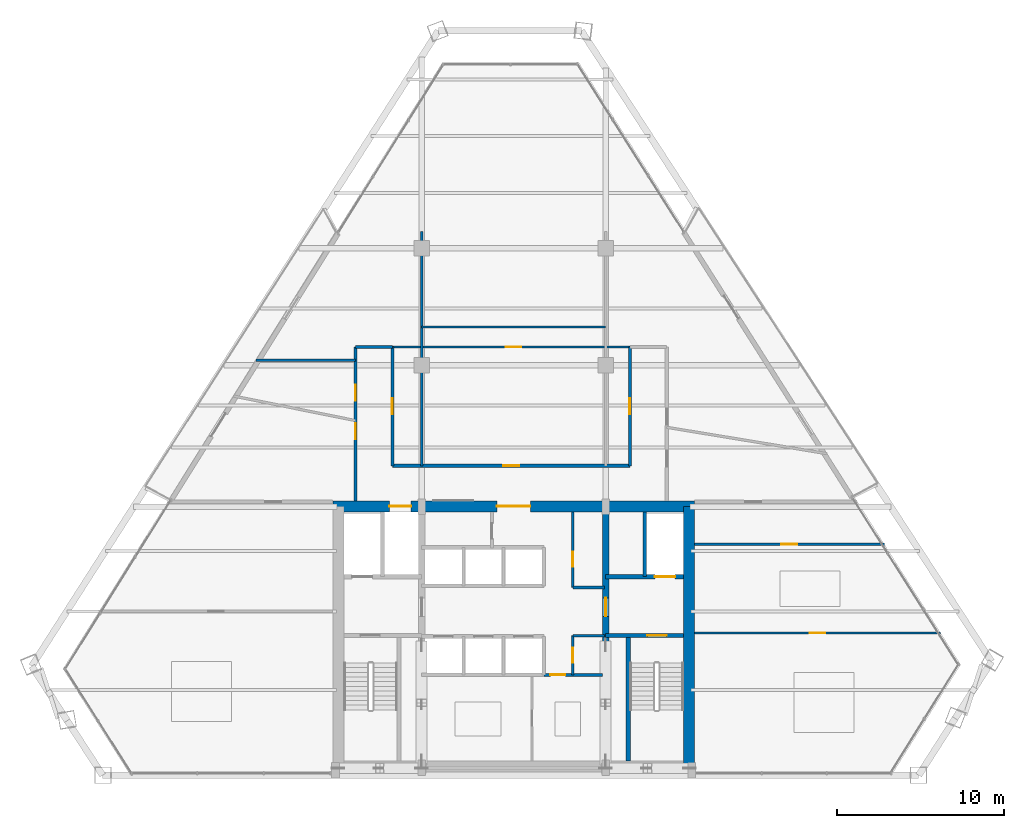
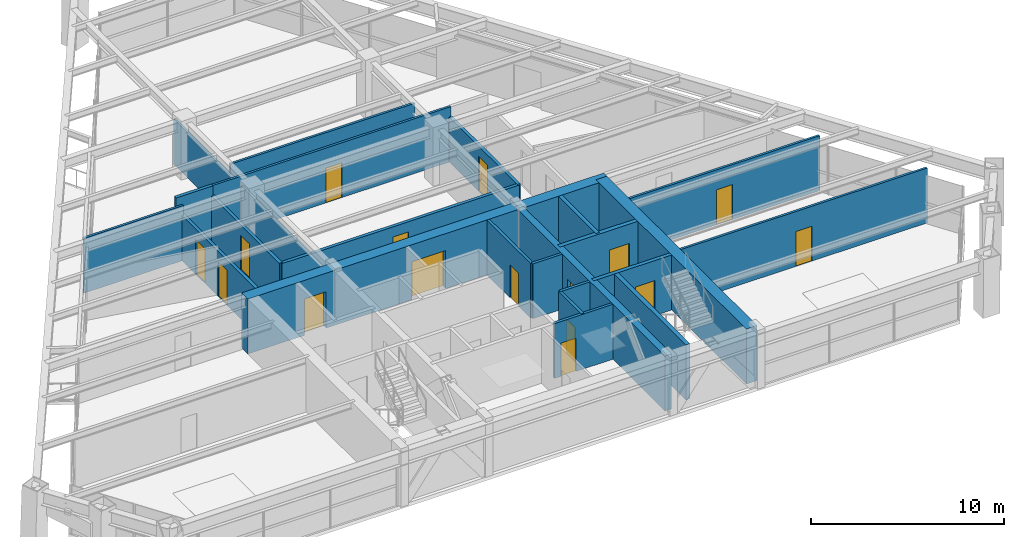
# One storey, part 12 of 15: 23 walls, 16 doors, 16 openings.
"""IFC4 building model written with IfcOpenShell, lengths in metres."""

from ifc_helpers import new_model, si_unit, direction, frame, frame_2d, origin, place, context, subcontext, project, spatial, rectangle, extrude, source, transform, mapped, material, layer, layer_set, type_object, type_shapes, element, fill, save


model = new_model("IFC4")

# Units and contexts
model_context = context("Model", 3, precision=1e-05, world=origin(), true_north=direction((0.0, 1.0)))
body_context = subcontext(model_context, "Body", "Model", "MODEL_VIEW")
ifc_project = project(units=[si_unit("LENGTHUNIT", "METRE"), si_unit("AREAUNIT", "SQUARE_METRE"), si_unit("VOLUMEUNIT", "CUBIC_METRE"), si_unit("PLANEANGLEUNIT", "RADIAN"), si_unit("MASSUNIT", "GRAM", prefix="KILO")], contexts=[model_context])

# Site, building, storey
site_placement = place(None, origin())
site = spatial("IfcSite", under=ifc_project, at=site_placement, CompositionType="ELEMENT")
building_placement = place(site_placement, origin())
building = spatial("IfcBuilding", under=site, at=building_placement, Name="Varnakhor Terracotta Tower", CompositionType="ELEMENT")
storey_placement = place(building_placement, frame((0.0, 0.0, 178.39990234375)))
storey = spatial("IfcBuildingStorey", under=building, at=storey_placement, Name="L45", CompositionType="ELEMENT", Elevation=178.39990234375)

# Wall, openings, doors
ifc_material_1 = material(Name="Concrete C50/60", Category="concrete")
ifc_layer_1 = layer(ifc_material_1, 0.64990234375, Name="Concrete C50/60")
ifc_layer_set_1 = layer_set([ifc_layer_1], Name="Concrete C50/60")
wall_type_1 = type_object("IfcWallType", Name="WAL-CORE-650", PredefinedType="SHEAR", material=ifc_layer_set_1)
wall_1_placement = place(storey_placement, frame((-10.800048828125, 16.074951171875, 0.0), z_axis=(0.0, 0.0, 1.0), x_axis=(1.0, 0.0, 0.0)))
wall_1 = element("IfcWall", 1, at=wall_1_placement, inside=storey, type_object=wall_type_1, Name="L45 North Core Shear Wall", PredefinedType="SHEAR", context=body_context, shape_type="SweptSolid", body=[
    extrude(rectangle(XDim=21.60009765625, YDim=0.64990234375, at=frame_2d((10.800048828125, 0.0))), origin(), (0.0, 0.0, 1.0), 3.47021484375),
])
opening_1_placement = place(wall_1_placement, frame((3.3701171875, 0.0, 0.0)))
opening_1 = element("IfcOpeningElement", 2, at=opening_1_placement, cuts=wall_1, Name="Opening LD-03", PredefinedType="OPENING", context=body_context, shape_type="SweptSolid", body=[
    extrude(rectangle(XDim=1.300048828125, YDim=2.300048828125, at=frame_2d((0.64990234375, 1.14990234375))), frame((0.0, 0.3349609375, 0.0), z_axis=(0.0, -1.0, 0.0), x_axis=(1.0, 0.0, 0.0)), (0.0, 0.0, 1.0), 0.669921875),
])
opening_2_placement = place(wall_1_placement, frame((9.800048828125, 0.0, 0.0)))
opening_2 = element("IfcOpeningElement", 3, at=opening_2_placement, cuts=wall_1, Name="Opening DR-32", PredefinedType="OPENING", context=body_context, shape_type="SweptSolid", body=[
    extrude(rectangle(XDim=2.0, YDim=2.39990234375, at=frame_2d((1.0, 1.199951171875))), frame((0.0, 0.3349609375, 0.0), z_axis=(0.0, -1.0, 0.0), x_axis=(1.0, 0.0, 0.0)), (0.0, 0.0, 1.0), 0.669921875),
])
ifc_material_2 = material(Name="Heavy-Duty Goods Sliding Lift Landing Door", Category="steel")
door_type_1 = type_object("IfcDoorType", Name="LD-SRV-1300X2300", OperationType="NOTDEFINED", PredefinedType="DOOR", material=ifc_material_2)
shared_shape_1 = source(origin(), body_context, "Body", "SweptSolid", [
    extrude(rectangle(XDim=1.300048828125, YDim=2.300048828125, at=frame_2d((0.64990234375, 1.14990234375))), frame((0.0, 0.02490234375, 0.0), z_axis=(0.0, -1.0, 0.0), x_axis=(1.0, 0.0, 0.0)), (0.0, 0.0, 1.0), 0.050048828125),
])
type_shapes(door_type_1, [shared_shape_1])
door_1_placement = place(opening_1_placement, origin())
door_1 = element("IfcDoor", 4, at=door_1_placement, inside=storey, type_object=door_type_1, Name="L45 Service Lift SVL-1 Landing Door", OperationType="SLIDING_TO_RIGHT", OverallHeight=2.300048828125, OverallWidth=1.300048828125, PredefinedType="DOOR", context=body_context, shape_type="MappedRepresentation", body=[
    mapped(shared_shape_1, transform((0.0, 0.0, 0.0), scale=1.0)),
])
fill(opening_1, door_1)
ifc_material_3 = material(Name="Acoustic Double Assembly Fire Door", Category="wood")
door_type_2 = type_object("IfcDoorType", Name="DR-HALL-2000X2400", OperationType="NOTDEFINED", PredefinedType="DOOR", material=ifc_material_3)
shared_shape_2 = source(origin(), body_context, "Body", "SweptSolid", [
    extrude(rectangle(XDim=2.0, YDim=2.39990234375, at=frame_2d((1.0, 1.199951171875))), frame((0.0, 0.02490234375, 0.0), z_axis=(0.0, -1.0, 0.0), x_axis=(1.0, 0.0, 0.0)), (0.0, 0.0, 1.0), 0.050048828125),
])
type_shapes(door_type_2, [shared_shape_2])
door_2_placement = place(opening_2_placement, origin())
door_2 = element("IfcDoor", 5, at=door_2_placement, inside=storey, type_object=door_type_2, Name="L45 Core Main Lobby Double Door", OperationType="DOUBLE_DOOR_SINGLE_SWING", OverallHeight=2.39990234375, OverallWidth=2.0, PredefinedType="DOOR", context=body_context, shape_type="MappedRepresentation", body=[
    mapped(shared_shape_2, transform((0.0, 0.0, 0.0), scale=1.0)),
])
fill(opening_2, door_2)

# Wall
wall_2_placement = place(storey_placement, frame((10.47509765625, 0.52490234375, 0.0), z_axis=(0.0, 0.0, 1.0), x_axis=(0.0, 1.0, 0.0)))
element("IfcWall", 6, at=wall_2_placement, inside=storey, type_object=wall_type_1, Name="L45 East Core Shear Wall", PredefinedType="SHEAR", context=body_context, shape_type="SweptSolid", body=[
    extrude(rectangle(XDim=15.550048828125, YDim=0.64990234375, at=frame_2d((7.77490234375, 0.0))), origin(), (0.0, 0.0, 1.0), 3.47021484375),
])

# Wall, opening, door
ifc_layer_2 = layer(ifc_material_1, 0.39990234375, Name="Concrete C50/60")
ifc_layer_set_2 = layer_set([ifc_layer_2], Name="Concrete C50/60")
wall_type_2 = type_object("IfcWallType", Name="WAL-CORE-WEB-400", PredefinedType="SHEAR", material=ifc_layer_set_2)
wall_3_placement = place(storey_placement, frame((5.5, 0.52490234375, 0.0), z_axis=(0.0, 0.0, 1.0), x_axis=(0.0, 1.0, 0.0)))
wall_3 = element("IfcWall", 7, at=wall_3_placement, inside=storey, type_object=wall_type_2, Name="L45 East Core Web Shear Wall", PredefinedType="SHEAR", context=body_context, shape_type="SweptSolid", body=[
    extrude(rectangle(XDim=15.550048828125, YDim=0.39990234375, at=frame_2d((7.77490234375, 0.0))), origin(), (0.0, 0.0, 1.0), 3.47021484375),
])
opening_3_placement = place(wall_3_placement, frame((8.97509765625, 0.0, 0.0)))
opening_3 = element("IfcOpeningElement", 8, at=opening_3_placement, cuts=wall_3, Name="Opening DR-25", PredefinedType="OPENING", context=body_context, shape_type="SweptSolid", body=[
    extrude(rectangle(XDim=1.10009765625, YDim=2.199951171875, at=frame_2d((0.550048828125, 1.10009765625))), frame((0.0, 0.2099609375, 0.0), z_axis=(0.0, -1.0, 0.0), x_axis=(1.0, 0.0, 0.0)), (0.0, 0.0, 1.0), 0.419921875),
])
ifc_material_4 = material(Name="Firefighting Lobby Self-Closing Fire Door", Category="steel")
door_type_3 = type_object("IfcDoorType", Name="DR-FFL-1100X2200", OperationType="NOTDEFINED", PredefinedType="DOOR", material=ifc_material_4)
shared_shape_3 = source(origin(), body_context, "Body", "SweptSolid", [
    extrude(rectangle(XDim=1.10009765625, YDim=2.199951171875, at=frame_2d((0.550048828125, 1.10009765625))), frame((0.0, 0.02490234375, 0.0), z_axis=(0.0, -1.0, 0.0), x_axis=(1.0, 0.0, 0.0)), (0.0, 0.0, 1.0), 0.050048828125),
])
type_shapes(door_type_3, [shared_shape_3])
door_3_placement = place(opening_3_placement, origin())
door_3 = element("IfcDoor", 9, at=door_3_placement, inside=storey, type_object=door_type_3, Name="L45 East Firefighting Lobby Door", OperationType="SINGLE_SWING_LEFT", OverallHeight=2.199951171875, OverallWidth=1.10009765625, PredefinedType="DOOR", context=body_context, shape_type="MappedRepresentation", body=[
    mapped(shared_shape_3, transform((0.0, 0.0, 0.0), scale=1.0)),
])
fill(opening_3, door_3)

ifc_material_5 = material(Name="Fire-Rated Gypsum Stud Partition", Category="gypsum")
ifc_layer_3 = layer(ifc_material_5, 0.18505859375, Name="Fire-Rated Gypsum Stud Partition")
ifc_layer_set_3 = layer_set([ifc_layer_3], Name="Fire-Rated Gypsum Stud Partition")
wall_type_3 = type_object("IfcWallType", Name="WAL-CORR-185", PredefinedType="PARTITIONING", material=ifc_layer_set_3)
wall_4_placement = place(storey_placement, frame((-7.25, 18.5, 0.0), z_axis=(0.0, 0.0, 1.0), x_axis=(1.0, 0.0, 0.0)))
wall_4 = element("IfcWall", 10, at=wall_4_placement, inside=storey, type_object=wall_type_3, Name="L45 Central Gallery Link Wall", PredefinedType="PARTITIONING", context=body_context, shape_type="SweptSolid", body=[
    extrude(rectangle(XDim=14.199951171875, YDim=0.18505859375, at=frame_2d((7.10009765625, 0.0))), origin(), (0.0, 0.0, 1.0), 2.84619140625),
])
opening_4_placement = place(wall_4_placement, frame((6.625, 0.0, 0.0)))
opening_4 = element("IfcOpeningElement", 11, at=opening_4_placement, cuts=wall_4, Name="Opening DR-94", PredefinedType="OPENING", context=body_context, shape_type="SweptSolid", body=[
    extrude(rectangle(XDim=0.949951171875, YDim=2.199951171875, at=frame_2d((0.47509765625, 1.10009765625))), frame((0.0, 0.1025390625, 0.0), z_axis=(0.0, -1.0, 0.0), x_axis=(1.0, 0.0, 0.0)), (0.0, 0.0, 1.0), 0.205078125),
])
ifc_material_6 = material(Name="Acoustic Glazed-Vision Timber Office Door", Category="wood")
door_type_4 = type_object("IfcDoorType", Name="DR-OFF-950X2200", OperationType="NOTDEFINED", PredefinedType="DOOR", material=ifc_material_6)
shared_shape_4 = source(origin(), body_context, "Body", "SweptSolid", [
    extrude(rectangle(XDim=0.949951171875, YDim=2.199951171875, at=frame_2d((0.47509765625, 1.10009765625))), frame((0.0, 0.02490234375, 0.0), z_axis=(0.0, -1.0, 0.0), x_axis=(1.0, 0.0, 0.0)), (0.0, 0.0, 1.0), 0.050048828125),
])
type_shapes(door_type_4, [shared_shape_4])
door_4_placement = place(opening_4_placement, origin())
door_4 = element("IfcDoor", 12, at=door_4_placement, inside=storey, type_object=door_type_4, Name="L45 Center Suite Door", OperationType="SINGLE_SWING_LEFT", OverallHeight=2.199951171875, OverallWidth=0.949951171875, PredefinedType="DOOR", context=body_context, shape_type="MappedRepresentation", body=[
    mapped(shared_shape_4, transform((0.0, 0.0, 0.0), scale=1.0)),
])
fill(opening_4, door_4)

wall_5_placement = place(storey_placement, frame((-7.25, 18.5, 0.0), z_axis=(0.0, 0.0, 1.0), x_axis=(0.0, 1.0, 0.0)))
wall_5 = element("IfcWall", 13, at=wall_5_placement, inside=storey, type_object=wall_type_3, Name="L45 West Gallery Inner Wall", PredefinedType="PARTITIONING", context=body_context, shape_type="SweptSolid", body=[
    extrude(rectangle(XDim=7.10009765625, YDim=0.18505859375, at=frame_2d((3.550048828125, 0.0))), origin(), (0.0, 0.0, 1.0), 2.84619140625),
])
opening_5_placement = place(wall_5_placement, frame((3.074951171875, 0.0, 0.0)))
opening_5 = element("IfcOpeningElement", 14, at=opening_5_placement, cuts=wall_5, Name="Opening DR-94", PredefinedType="OPENING", context=body_context, shape_type="SweptSolid", body=[
    extrude(rectangle(XDim=0.949951171875, YDim=2.199951171875, at=frame_2d((0.47509765625, 1.10009765625))), frame((0.0, 0.1025390625, 0.0), z_axis=(0.0, -1.0, 0.0), x_axis=(1.0, 0.0, 0.0)), (0.0, 0.0, 1.0), 0.205078125),
])
door_5_placement = place(opening_5_placement, origin())
door_5 = element("IfcDoor", 15, at=door_5_placement, inside=storey, type_object=door_type_4, Name="L45 Partner Office 1 B10 Door", OperationType="SINGLE_SWING_LEFT", OverallHeight=2.199951171875, OverallWidth=0.949951171875, PredefinedType="DOOR", context=body_context, shape_type="MappedRepresentation", body=[
    mapped(shared_shape_4, transform((0.0, 0.0, 0.0), scale=1.0)),
])
fill(opening_5, door_5)

wall_6_placement = place(storey_placement, frame((6.949951171875, 18.5, 0.0), z_axis=(0.0, 0.0, 1.0), x_axis=(0.0, 1.0, 0.0)))
wall_6 = element("IfcWall", 16, at=wall_6_placement, inside=storey, type_object=wall_type_3, Name="L45 East Gallery Inner Wall", PredefinedType="PARTITIONING", context=body_context, shape_type="SweptSolid", body=[
    extrude(rectangle(XDim=7.10009765625, YDim=0.18505859375, at=frame_2d((3.550048828125, 0.0))), origin(), (0.0, 0.0, 1.0), 2.84619140625),
])
opening_6_placement = place(wall_6_placement, frame((3.074951171875, 0.0, 0.0)))
opening_6 = element("IfcOpeningElement", 17, at=opening_6_placement, cuts=wall_6, Name="Opening DR-94", PredefinedType="OPENING", context=body_context, shape_type="SweptSolid", body=[
    extrude(rectangle(XDim=0.949951171875, YDim=2.199951171875, at=frame_2d((0.47509765625, 1.10009765625))), frame((0.0, 0.1025390625, 0.0), z_axis=(0.0, -1.0, 0.0), x_axis=(1.0, 0.0, 0.0)), (0.0, 0.0, 1.0), 0.205078125),
])
door_6_placement = place(opening_6_placement, origin())
door_6 = element("IfcDoor", 18, at=door_6_placement, inside=storey, type_object=door_type_4, Name="L45 Partner Office 5 B9 Door", OperationType="SINGLE_SWING_RIGHT", OverallHeight=2.199951171875, OverallWidth=0.949951171875, PredefinedType="DOOR", context=body_context, shape_type="MappedRepresentation", body=[
    mapped(shared_shape_4, transform((0.0, 0.0, 0.0), scale=1.0)),
])
fill(opening_6, door_6)

# Wall, openings, doors
wall_7_placement = place(storey_placement, frame((-9.449951171875, 16.39990234375, 0.0), z_axis=(0.0, 0.0, 1.0), x_axis=(0.0, 1.0, 0.0)))
wall_7 = element("IfcWall", 19, at=wall_7_placement, inside=storey, type_object=wall_type_3, Name="L45 West Gallery Outer Wall", PredefinedType="PARTITIONING", context=body_context, shape_type="SweptSolid", body=[
    extrude(rectangle(XDim=9.2001953125, YDim=0.18505859375, at=frame_2d((4.60009765625, 0.0))), origin(), (0.0, 0.0, 1.0), 2.84619140625),
])
opening_7_placement = place(wall_7_placement, frame((3.698974609375, 0.0, 0.0)))
opening_7 = element("IfcOpeningElement", 20, at=opening_7_placement, cuts=wall_7, Name="Opening DR-94", PredefinedType="OPENING", context=body_context, shape_type="SweptSolid", body=[
    extrude(rectangle(XDim=0.949951171875, YDim=2.199951171875, at=frame_2d((0.47509765625, 1.10009765625))), frame((0.0, 0.1025390625, 0.0), z_axis=(0.0, -1.0, 0.0), x_axis=(1.0, 0.0, 0.0)), (0.0, 0.0, 1.0), 0.205078125),
])
opening_8_placement = place(wall_7_placement, frame((5.987060546875, 0.0, 0.0)))
opening_8 = element("IfcOpeningElement", 21, at=opening_8_placement, cuts=wall_7, Name="Opening DR-94", PredefinedType="OPENING", context=body_context, shape_type="SweptSolid", body=[
    extrude(rectangle(XDim=0.949951171875, YDim=2.199951171875, at=frame_2d((0.47509765625, 1.10009765625))), frame((0.0, 0.1025390625, 0.0), z_axis=(0.0, -1.0, 0.0), x_axis=(1.0, 0.0, 0.0)), (0.0, 0.0, 1.0), 0.205078125),
])
door_7_placement = place(opening_7_placement, origin())
door_7 = element("IfcDoor", 22, at=door_7_placement, inside=storey, type_object=door_type_4, Name="L45 West Wing Door", OperationType="SINGLE_SWING_RIGHT", OverallHeight=2.199951171875, OverallWidth=0.949951171875, PredefinedType="DOOR", context=body_context, shape_type="MappedRepresentation", body=[
    mapped(shared_shape_4, transform((0.0, 0.0, 0.0), scale=1.0)),
])
fill(opening_7, door_7)
door_8_placement = place(opening_8_placement, origin())
door_8 = element("IfcDoor", 23, at=door_8_placement, inside=storey, type_object=door_type_4, Name="L45 Partner Office 2 Door", OperationType="SINGLE_SWING_RIGHT", OverallHeight=2.199951171875, OverallWidth=0.949951171875, PredefinedType="DOOR", context=body_context, shape_type="MappedRepresentation", body=[
    mapped(shared_shape_4, transform((0.0, 0.0, 0.0), scale=1.0)),
])
fill(opening_8, door_8)

# Wall
wall_8_placement = place(storey_placement, frame((-9.449951171875, 25.60009765625, 0.0), z_axis=(0.0, 0.0, 1.0), x_axis=(1.0, 0.0, 0.0)))
element("IfcWall", 24, at=wall_8_placement, inside=storey, type_object=wall_type_3, Name="L45 West Gallery North End", PredefinedType="PARTITIONING", context=body_context, shape_type="SweptSolid", body=[
    extrude(rectangle(XDim=2.199951171875, YDim=0.18505859375, at=frame_2d((1.10009765625, 0.0))), origin(), (0.0, 0.0, 1.0), 3.462158203125),
])

# Wall, opening, door
ifc_material_7 = material(Name="Concrete C40/50", Category="concrete")
ifc_layer_4 = layer(ifc_material_7, 0.219970703125, Name="Concrete C40/50")
ifc_layer_set_4 = layer_set([ifc_layer_4], Name="Concrete C40/50")
wall_type_4 = type_object("IfcWallType", Name="WAL-FFLOBBY-220", PredefinedType="SOLIDWALL", material=ifc_layer_set_4)
wall_9_placement = place(storey_placement, frame((10.14990234375, 8.35009765625, 0.0), z_axis=(0.0, 0.0, 1.0), x_axis=(-1.0, 0.0, 0.0)))
wall_9 = element("IfcWall", 25, at=wall_9_placement, inside=storey, type_object=wall_type_4, Name="L45 East Firefighting Lobby Stair Wall", PredefinedType="SOLIDWALL", context=body_context, shape_type="SweptSolid", body=[
    extrude(rectangle(XDim=4.64990234375, YDim=0.219970703125, at=frame_2d((2.324951171875, 0.0))), origin(), (0.0, 0.0, 1.0), 3.47021484375),
])
opening_9_placement = place(wall_9_placement, frame((1.0, 0.0, 0.0)))
opening_9 = element("IfcOpeningElement", 26, at=opening_9_placement, cuts=wall_9, Name="Opening DR-34", PredefinedType="OPENING", context=body_context, shape_type="SweptSolid", body=[
    extrude(rectangle(XDim=1.14990234375, YDim=2.199951171875, at=frame_2d((0.574951171875, 1.10009765625))), frame((0.0, 0.1201171875, 0.0), z_axis=(0.0, -1.0, 0.0), x_axis=(1.0, 0.0, 0.0)), (0.0, 0.0, 1.0), 0.239990234375),
])
ifc_material_8 = material(Name="Self-Closing Smoke-Sealed Steel Fire Door", Category="steel")
door_type_5 = type_object("IfcDoorType", Name="DR-STAIR-1150X2200", OperationType="NOTDEFINED", PredefinedType="DOOR", material=ifc_material_8)
shared_shape_5 = source(origin(), body_context, "Body", "SweptSolid", [
    extrude(rectangle(XDim=1.14990234375, YDim=2.199951171875, at=frame_2d((0.574951171875, 1.10009765625))), frame((0.0, 0.02490234375, 0.0), z_axis=(0.0, -1.0, 0.0), x_axis=(1.0, 0.0, 0.0)), (0.0, 0.0, 1.0), 0.050048828125),
])
type_shapes(door_type_5, [shared_shape_5])
door_9_placement = place(opening_9_placement, origin())
door_9 = element("IfcDoor", 27, at=door_9_placement, inside=storey, type_object=door_type_5, Name="L45 Exit Stair ST-2 Fire Door", OperationType="SINGLE_SWING_RIGHT", OverallHeight=2.199951171875, OverallWidth=1.14990234375, PredefinedType="DOOR", context=body_context, shape_type="MappedRepresentation", body=[
    mapped(shared_shape_5, transform((0.0, 0.0, 0.0), scale=1.0)),
])
fill(opening_9, door_9)

ifc_material_9 = material(Name="Acoustic Metal-Stud Partition", Category="gypsum")
ifc_layer_5 = layer(ifc_material_9, 0.139892578125, Name="Acoustic Metal-Stud Partition")
ifc_layer_set_5 = layer_set([ifc_layer_5], Name="Acoustic Metal-Stud Partition")
wall_type_5 = type_object("IfcWallType", Name="WAL-PART-140", PredefinedType="PARTITIONING", material=ifc_layer_set_5)
wall_10_placement = place(storey_placement, frame((-7.25, 25.60009765625, 0.0), z_axis=(0.0, 0.0, 1.0), x_axis=(1.0, 0.0, 0.0)))
wall_10 = element("IfcWall", 28, at=wall_10_placement, inside=storey, type_object=wall_type_5, Name="L45 Gallery Center Cap Wall", PredefinedType="PARTITIONING", context=body_context, shape_type="SweptSolid", body=[
    extrude(rectangle(XDim=14.199951171875, YDim=0.139892578125, at=frame_2d((7.10009765625, 0.0))), origin(), (0.0, 0.0, 1.0), 3.462158203125),
])
opening_10_placement = place(wall_10_placement, frame((6.767822265625, 0.0, 0.0)))
opening_10 = element("IfcOpeningElement", 29, at=opening_10_placement, cuts=wall_10, Name="Opening DR-94", PredefinedType="OPENING", context=body_context, shape_type="SweptSolid", body=[
    extrude(rectangle(XDim=0.949951171875, YDim=2.199951171875, at=frame_2d((0.47509765625, 1.10009765625))), frame((0.0, 0.080078125, 0.0), z_axis=(0.0, -1.0, 0.0), x_axis=(1.0, 0.0, 0.0)), (0.0, 0.0, 1.0), 0.159912109375),
])
door_10_placement = place(opening_10_placement, origin())
door_10 = element("IfcDoor", 30, at=door_10_placement, inside=storey, type_object=door_type_4, Name="L45 Staff Pantry Kitchen Door", OperationType="SINGLE_SWING_LEFT", OverallHeight=2.199951171875, OverallWidth=0.949951171875, PredefinedType="DOOR", context=body_context, shape_type="MappedRepresentation", body=[
    mapped(shared_shape_4, transform((0.0, 0.0, 0.0), scale=1.0)),
])
fill(opening_10, door_10)

# Walls
wall_11_placement = place(storey_placement, frame((-5.5, 18.5, 0.0), z_axis=(0.0, 0.0, 1.0), x_axis=(0.0, 1.0, 0.0)))
element("IfcWall", 31, at=wall_11_placement, inside=storey, type_object=wall_type_5, Name="L45 Center West Column Wall", PredefinedType="PARTITIONING", context=body_context, shape_type="SweptSolid", body=[
    extrude(rectangle(XDim=14.0, YDim=0.139892578125, at=frame_2d((7.0, 0.0))), origin(), (0.0, 0.0, 1.0), 2.84619140625),
])
wall_12_placement = place(storey_placement, frame((-5.5, 26.800048828125, 0.0), z_axis=(0.0, 0.0, 1.0), x_axis=(1.0, 0.0, 0.0)))
element("IfcWall", 32, at=wall_12_placement, inside=storey, type_object=wall_type_5, Name="L45 Center Cross Cut 1", PredefinedType="PARTITIONING", context=body_context, shape_type="SweptSolid", body=[
    extrude(rectangle(XDim=11.0, YDim=0.139892578125, at=frame_2d((5.5, 0.0))), origin(), (0.0, 0.0, 1.0), 3.462158203125),
])
wall_13_placement = place(storey_placement, frame((-15.3935546875, 24.800048828125, 0.0), z_axis=(0.0, 0.0, 1.0), x_axis=(1.0, 0.0, 0.0)))
element("IfcWall", 33, at=wall_13_placement, inside=storey, type_object=wall_type_5, Name="L45 West Wing Cut 3", PredefinedType="PARTITIONING", context=body_context, shape_type="SweptSolid", body=[
    extrude(rectangle(XDim=5.943603515625, YDim=0.139892578125, at=frame_2d((2.9716796875, 0.0))), origin(), (0.0, 0.0, 1.0), 3.462158203125),
])

# Wall, opening, door
wall_14_placement = place(storey_placement, frame((10.820068359375, 8.5, 0.0), z_axis=(0.0, 0.0, 1.0), x_axis=(1.0, 0.0, 0.0)))
wall_14 = element("IfcWall", 34, at=wall_14_placement, inside=storey, type_object=wall_type_5, Name="L45 East Wing Cut 1", PredefinedType="PARTITIONING", context=body_context, shape_type="SweptSolid", body=[
    extrude(rectangle(XDim=14.69775390625, YDim=0.139892578125, at=frame_2d((7.348876953125, 0.0))), origin(), (0.0, 0.0, 1.0), 3.462158203125),
])
opening_11_placement = place(wall_14_placement, frame((6.8662109375, 0.0, 0.0)))
opening_11 = element("IfcOpeningElement", 35, at=opening_11_placement, cuts=wall_14, Name="Opening DR-94", PredefinedType="OPENING", context=body_context, shape_type="SweptSolid", body=[
    extrude(rectangle(XDim=0.949951171875, YDim=2.199951171875, at=frame_2d((0.47509765625, 1.10009765625))), frame((0.0, 0.080078125, 0.0), z_axis=(0.0, -1.0, 0.0), x_axis=(1.0, 0.0, 0.0)), (0.0, 0.0, 1.0), 0.159912109375),
])
door_11_placement = place(opening_11_placement, origin())
door_11 = element("IfcDoor", 36, at=door_11_placement, inside=storey, type_object=door_type_4, Name="L45 Partner Office 1 SE Door", OperationType="SINGLE_SWING_LEFT", OverallHeight=2.199951171875, OverallWidth=0.949951171875, PredefinedType="DOOR", context=body_context, shape_type="MappedRepresentation", body=[
    mapped(shared_shape_4, transform((0.0, 0.0, 0.0), scale=1.0)),
])
fill(opening_11, door_11)

wall_15_placement = place(storey_placement, frame((10.820068359375, 13.800048828125, 0.0), z_axis=(0.0, 0.0, 1.0), x_axis=(1.0, 0.0, 0.0)))
wall_15 = element("IfcWall", 37, at=wall_15_placement, inside=storey, type_object=wall_type_5, Name="L45 East Wing Cut 2", PredefinedType="PARTITIONING", context=body_context, shape_type="SweptSolid", body=[
    extrude(rectangle(XDim=11.33642578125, YDim=0.139892578125, at=frame_2d((5.668212890625, 0.0))), origin(), (0.0, 0.0, 1.0), 3.462158203125),
])
opening_12_placement = place(wall_15_placement, frame((5.185791015625, 0.0, 0.0)))
opening_12 = element("IfcOpeningElement", 38, at=opening_12_placement, cuts=wall_15, Name="Opening DR-94", PredefinedType="OPENING", context=body_context, shape_type="SweptSolid", body=[
    extrude(rectangle(XDim=0.949951171875, YDim=2.199951171875, at=frame_2d((0.47509765625, 1.10009765625))), frame((0.0, 0.080078125, 0.0), z_axis=(0.0, -1.0, 0.0), x_axis=(1.0, 0.0, 0.0)), (0.0, 0.0, 1.0), 0.159912109375),
])
door_12_placement = place(opening_12_placement, origin())
door_12 = element("IfcDoor", 39, at=door_12_placement, inside=storey, type_object=door_type_4, Name="L45 Conference Room 1 B3 Door", OperationType="SINGLE_SWING_RIGHT", OverallHeight=2.199951171875, OverallWidth=0.949951171875, PredefinedType="DOOR", context=body_context, shape_type="MappedRepresentation", body=[
    mapped(shared_shape_4, transform((0.0, 0.0, 0.0), scale=1.0)),
])
fill(opening_12, door_12)

# Walls
ifc_layer_6 = layer(ifc_material_7, 0.219970703125, Name="Concrete C40/50")
ifc_layer_set_6 = layer_set([ifc_layer_6], Name="Concrete C40/50")
wall_type_6 = type_object("IfcWallType", Name="WAL-SHAFT-220", PredefinedType="SOLIDWALL", material=ifc_layer_set_6)
wall_16_placement = place(storey_placement, frame((7.840087890625, 11.8701171875, 0.0), z_axis=(0.0, 0.0, 1.0), x_axis=(0.0, 1.0, 0.0)))
element("IfcWall", 40, at=wall_16_placement, inside=storey, type_object=wall_type_6, Name="L45 Lift FFL-2 and Riser Divider Wall", PredefinedType="SOLIDWALL", context=body_context, shape_type="SweptSolid", body=[
    extrude(rectangle(XDim=3.8798828125, YDim=0.219970703125, at=frame_2d((1.93994140625, 0.0))), origin(), (0.0, 0.0, 1.0), 3.47021484375),
])
ifc_layer_7 = layer(ifc_material_7, 0.25, Name="Concrete C40/50")
ifc_layer_set_7 = layer_set([ifc_layer_7], Name="Concrete C40/50")
wall_type_7 = type_object("IfcWallType", Name="WAL-SHAFT-250", PredefinedType="SOLIDWALL", material=ifc_layer_set_7)
wall_17_placement = place(storey_placement, frame((6.85009765625, 0.85009765625, 0.0), z_axis=(0.0, 0.0, 1.0), x_axis=(0.0, 1.0, 0.0)))
element("IfcWall", 41, at=wall_17_placement, inside=storey, type_object=wall_type_7, Name="L45 Stair ST-2 Bearing Shaft Wall", PredefinedType="SOLIDWALL", context=body_context, shape_type="SweptSolid", body=[
    extrude(rectangle(XDim=7.5, YDim=0.25, at=frame_2d((3.75, 0.0))), origin(), (0.0, 0.0, 1.0), 3.47021484375),
])

# Wall, opening, door
wall_18_placement = place(storey_placement, frame((10.14990234375, 11.8701171875, 0.0), z_axis=(0.0, 0.0, 1.0), x_axis=(-1.0, 0.0, 0.0)))
wall_18 = element("IfcWall", 42, at=wall_18_placement, inside=storey, type_object=wall_type_7, Name="L45 Lift FFL-2 Shaft Front Wall", PredefinedType="SOLIDWALL", context=body_context, shape_type="SweptSolid", body=[
    extrude(rectangle(XDim=4.64990234375, YDim=0.25, at=frame_2d((2.324951171875, 0.0))), origin(), (0.0, 0.0, 1.0), 3.47021484375),
])
opening_13_placement = place(wall_18_placement, frame((0.5, 0.0, 0.0)))
opening_13 = element("IfcOpeningElement", 43, at=opening_13_placement, cuts=wall_18, Name="Opening LD-02", PredefinedType="OPENING", context=body_context, shape_type="SweptSolid", body=[
    extrude(rectangle(XDim=1.199951171875, YDim=2.25, at=frame_2d((0.60009765625, 1.125))), frame((0.0, 0.135009765625, 0.0), z_axis=(0.0, -1.0, 0.0), x_axis=(1.0, 0.0, 0.0)), (0.0, 0.0, 1.0), 0.27001953125),
])
ifc_material_10 = material(Name="Firefighting Stretcher Sliding Lift Landing Door", Category="steel")
door_type_6 = type_object("IfcDoorType", Name="LD-FFL-1200X2250", OperationType="NOTDEFINED", PredefinedType="DOOR", material=ifc_material_10)
shared_shape_6 = source(origin(), body_context, "Body", "SweptSolid", [
    extrude(rectangle(XDim=1.199951171875, YDim=2.25, at=frame_2d((0.60009765625, 1.125))), frame((0.0, 0.02490234375, 0.0), z_axis=(0.0, -1.0, 0.0), x_axis=(1.0, 0.0, 0.0)), (0.0, 0.0, 1.0), 0.050048828125),
])
type_shapes(door_type_6, [shared_shape_6])
door_13_placement = place(opening_13_placement, origin())
door_13 = element("IfcDoor", 44, at=door_13_placement, inside=storey, type_object=door_type_6, Name="L45 Firefighting Lift FFL-2 Landing Door", OperationType="SLIDING_TO_RIGHT", OverallHeight=2.25, OverallWidth=1.199951171875, PredefinedType="DOOR", context=body_context, shape_type="MappedRepresentation", body=[
    mapped(shared_shape_6, transform((0.0, 0.0, 0.0), scale=1.0)),
])
fill(opening_13, door_13)

ifc_material_11 = material(Name="Acoustic Fire-Rated Partition", Category="gypsum")
ifc_layer_8 = layer(ifc_material_11, 0.1650390625, Name="Acoustic Fire-Rated Partition")
ifc_layer_set_8 = layer_set([ifc_layer_8], Name="Acoustic Fire-Rated Partition")
wall_type_8 = type_object("IfcWallType", Name="WAL-TENANCY-165", PredefinedType="PARTITIONING", material=ifc_layer_set_8)
wall_19_placement = place(storey_placement, frame((1.820068359375, 6.0, 0.0), z_axis=(0.0, 0.0, 1.0), x_axis=(1.0, 0.0, 0.0)))
wall_19 = element("IfcWall", 45, at=wall_19_placement, inside=storey, type_object=wall_type_8, Name="L45 Reclaimed Core Bay North Rated Wall", PredefinedType="PARTITIONING", context=body_context, shape_type="SweptSolid", body=[
    extrude(rectangle(XDim=3.47998046875, YDim=0.1650390625, at=frame_2d((1.739990234375, 0.0))), origin(), (0.0, 0.0, 1.0), 3.462158203125),
])
opening_14_placement = place(wall_19_placement, frame((0.3798828125, 0.0, 0.0)))
opening_14 = element("IfcOpeningElement", 46, at=opening_14_placement, cuts=wall_19, Name="Opening DR-67", PredefinedType="OPENING", context=body_context, shape_type="SweptSolid", body=[
    extrude(rectangle(XDim=0.89990234375, YDim=2.10009765625, at=frame_2d((0.449951171875, 1.050048828125))), frame((0.0, 0.092529296875, 0.0), z_axis=(0.0, -1.0, 0.0), x_axis=(1.0, 0.0, 0.0)), (0.0, 0.0, 1.0), 0.18505859375),
])
ifc_material_12 = material(Name="Steel Service Riser Fire Door", Category="steel")
door_type_7 = type_object("IfcDoorType", Name="DR-RISER-900X2100", OperationType="NOTDEFINED", PredefinedType="DOOR", material=ifc_material_12)
shared_shape_7 = source(origin(), body_context, "Body", "SweptSolid", [
    extrude(rectangle(XDim=0.89990234375, YDim=2.10009765625, at=frame_2d((0.449951171875, 1.050048828125))), frame((0.0, 0.02490234375, 0.0), z_axis=(0.0, -1.0, 0.0), x_axis=(1.0, 0.0, 0.0)), (0.0, 0.0, 1.0), 0.050048828125),
])
type_shapes(door_type_7, [shared_shape_7])
door_14_placement = place(opening_14_placement, origin())
door_14 = element("IfcDoor", 47, at=door_14_placement, inside=storey, type_object=door_type_7, Name="L45 Core Reclaimed Suite Door", OperationType="SINGLE_SWING_RIGHT", OverallHeight=2.10009765625, OverallWidth=0.89990234375, PredefinedType="DOOR", context=body_context, shape_type="MappedRepresentation", body=[
    mapped(shared_shape_7, transform((0.0, 0.0, 0.0), scale=1.0)),
])
fill(opening_14, door_14)

wall_20_placement = place(storey_placement, frame((3.5400390625, 6.0, 0.0), z_axis=(0.0, 0.0, 1.0), x_axis=(0.0, 1.0, 0.0)))
wall_20 = element("IfcWall", 48, at=wall_20_placement, inside=storey, type_object=wall_type_8, Name="L45 Accessible WC Rated Wall", PredefinedType="PARTITIONING", context=body_context, shape_type="SweptSolid", body=[
    extrude(rectangle(XDim=2.340087890625, YDim=0.1650390625, at=frame_2d((1.169921875, 0.0))), origin(), (0.0, 0.0, 1.0), 3.462158203125),
])
opening_15_placement = place(wall_20_placement, frame((0.719970703125, 0.0, 0.0)))
opening_15 = element("IfcOpeningElement", 49, at=opening_15_placement, cuts=wall_20, Name="Opening DR-67", PredefinedType="OPENING", context=body_context, shape_type="SweptSolid", body=[
    extrude(rectangle(XDim=0.89990234375, YDim=2.10009765625, at=frame_2d((0.449951171875, 1.050048828125))), frame((0.0, 0.092529296875, 0.0), z_axis=(0.0, -1.0, 0.0), x_axis=(1.0, 0.0, 0.0)), (0.0, 0.0, 1.0), 0.18505859375),
])
door_15_placement = place(opening_15_placement, origin())
door_15 = element("IfcDoor", 50, at=door_15_placement, inside=storey, type_object=door_type_7, Name="L45 Accessible WC Door", OperationType="SINGLE_SWING_RIGHT", OverallHeight=2.10009765625, OverallWidth=0.89990234375, PredefinedType="DOOR", context=body_context, shape_type="MappedRepresentation", body=[
    mapped(shared_shape_7, transform((0.0, 0.0, 0.0), scale=1.0)),
])
fill(opening_15, door_15)

# Wall
wall_21_placement = place(storey_placement, frame((3.5400390625, 8.340087890625, 0.0), z_axis=(0.0, 0.0, 1.0), x_axis=(1.0, 0.0, 0.0)))
element("IfcWall", 51, at=wall_21_placement, inside=storey, type_object=wall_type_8, Name="L45 Accessible WC North Wall", PredefinedType="PARTITIONING", context=body_context, shape_type="SweptSolid", body=[
    extrude(rectangle(XDim=1.8798828125, YDim=0.1650390625, at=frame_2d((0.93994140625, 0.0))), origin(), (0.0, 0.0, 1.0), 3.462158203125),
])

# Wall, opening, door
wall_22_placement = place(storey_placement, frame((3.5400390625, 11.219970703125, 0.0), z_axis=(0.0, 0.0, 1.0), x_axis=(0.0, 1.0, 0.0)))
wall_22 = element("IfcWall", 52, at=wall_22_placement, inside=storey, type_object=wall_type_8, Name="L45 Restroom Corridor Wall", PredefinedType="PARTITIONING", context=body_context, shape_type="SweptSolid", body=[
    extrude(rectangle(XDim=4.530029296875, YDim=0.1650390625, at=frame_2d((2.26513671875, 0.0))), origin(), (0.0, 0.0, 1.0), 3.462158203125),
])
opening_16_placement = place(wall_22_placement, frame((1.25, 0.0, 0.0)))
opening_16 = element("IfcOpeningElement", 53, at=opening_16_placement, cuts=wall_22, Name="Opening DR-67", PredefinedType="OPENING", context=body_context, shape_type="SweptSolid", body=[
    extrude(rectangle(XDim=0.89990234375, YDim=2.10009765625, at=frame_2d((0.449951171875, 1.050048828125))), frame((0.0, 0.092529296875, 0.0), z_axis=(0.0, -1.0, 0.0), x_axis=(1.0, 0.0, 0.0)), (0.0, 0.0, 1.0), 0.18505859375),
])
door_16_placement = place(opening_16_placement, origin())
door_16 = element("IfcDoor", 54, at=door_16_placement, inside=storey, type_object=door_type_7, Name="L45 Female WC Door", OperationType="SINGLE_SWING_RIGHT", OverallHeight=2.10009765625, OverallWidth=0.89990234375, PredefinedType="DOOR", context=body_context, shape_type="MappedRepresentation", body=[
    mapped(shared_shape_7, transform((0.0, 0.0, 0.0), scale=1.0)),
])
fill(opening_16, door_16)

# Wall
wall_23_placement = place(storey_placement, frame((3.5400390625, 11.219970703125, 0.0), z_axis=(0.0, 0.0, 1.0), x_axis=(1.0, 0.0, 0.0)))
element("IfcWall", 55, at=wall_23_placement, inside=storey, type_object=wall_type_8, Name="L45 Restroom South Wall", PredefinedType="PARTITIONING", context=body_context, shape_type="SweptSolid", body=[
    extrude(rectangle(XDim=1.8798828125, YDim=0.1650390625, at=frame_2d((0.93994140625, 0.0))), origin(), (0.0, 0.0, 1.0), 3.462158203125),
])

save(model, "model.ifc")
